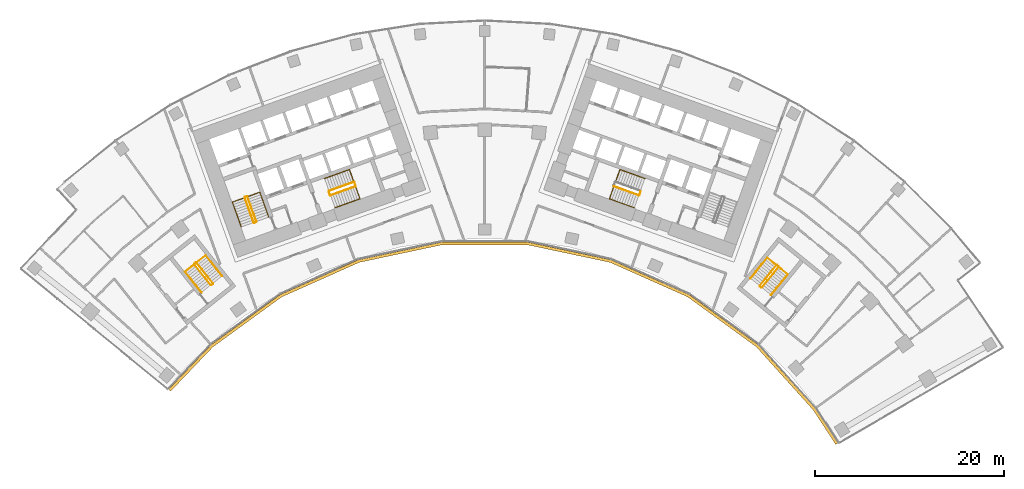
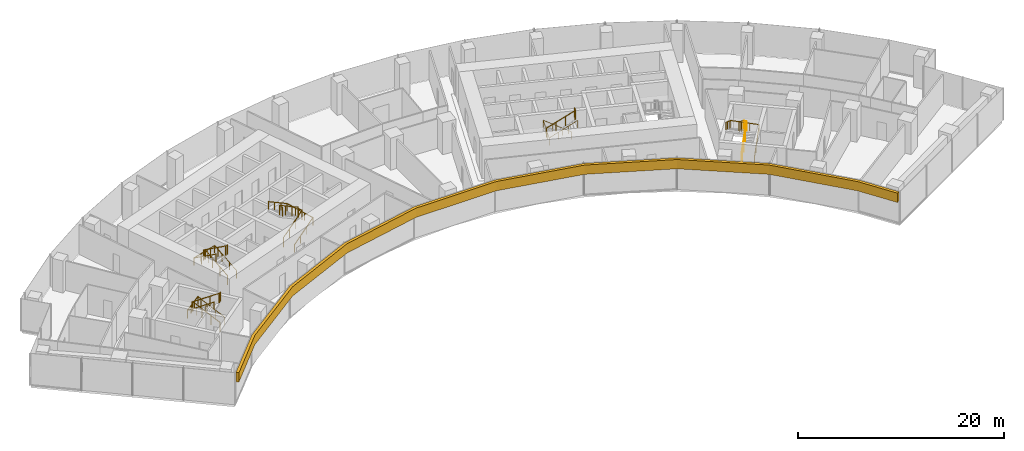
# One storey, part 19 of 20: 14 railings, 1 covering.
"""IFC4 building model written with IfcOpenShell, lengths in metres."""

from ifc_helpers import new_model, si_unit, direction, frame, origin, origin_2d, place, context, subcontext, project, spatial, polyline, circle, outline, extrude, material, layer, layer_set, type_object, element, save


model = new_model("IFC4")

# Units and contexts
model_context = context("Model", 3, precision=1e-05, world=origin(), true_north=direction((0.0, 1.0)))
body_context = subcontext(model_context, "Body", "Model", "MODEL_VIEW")
ifc_project = project(units=[si_unit("LENGTHUNIT", "METRE"), si_unit("AREAUNIT", "SQUARE_METRE"), si_unit("VOLUMEUNIT", "CUBIC_METRE"), si_unit("PLANEANGLEUNIT", "RADIAN"), si_unit("MASSUNIT", "GRAM", prefix="KILO")], contexts=[model_context])

# Site, building, storey
site_placement = place(None, origin())
site = spatial("IfcSite", under=ifc_project, at=site_placement, CompositionType="ELEMENT")
building_placement = place(site_placement, origin())
building = spatial("IfcBuilding", under=site, at=building_placement, Name="Stone Belt Terrace Tower", CompositionType="ELEMENT")
storey_placement = place(building_placement, frame((0.0, 0.0, 106.0)))
storey = spatial("IfcBuildingStorey", under=building, at=storey_placement, Name="L25", CompositionType="ELEMENT", Elevation=106.0)

# Railings
ifc_material_1 = material(Name="Structural steel C345", Category="steel")
railing_type_1 = type_object("IfcRailingType", Name="Stair guard 1100", PredefinedType="GUARDRAIL", material=ifc_material_1)
railing_1_placement = place(storey_placement, frame((-24.2119140625, 45.276123046875, 0.172607421875)))
element("IfcRailing", 1, at=railing_1_placement, inside=storey, type_object=railing_type_1, Name="L25 ST1A stair guard 1", PredefinedType="GUARDRAIL", context=body_context, shape_type="SweptSolid", body=[
    extrude(circle(Radius=0.02392578125, at=origin_2d()), frame((0.0, 0.0, 1.076171875), z_axis=(-0.288228637646, 0.800791768495, 0.525030280985), x_axis=(-0.940908529223, -0.338660803216, 0.0)), (0.0, 0.0, 1.0), 3.289794921875),
    extrude(circle(Radius=0.02392578125, at=origin_2d()), frame((-0.9482421875, 2.634521484375, 2.80322265625), z_axis=(-0.905209821074, 0.424964916, 0.0), x_axis=(-0.424964916, -0.905209821074, 0.0)), (0.0, 0.0, 1.0), 0.070556640625),
    extrude(circle(Radius=0.02392578125, at=origin_2d()), frame((-1.01220703125, 2.66455078125, 2.80322265625), z_axis=(-0.941105063269, -0.338114270461, 0.0), x_axis=(0.338114270461, -0.941105063269, 0.0)), (0.0, 0.0, 1.0), 0.199951171875),
    extrude(circle(Radius=0.02099609375, at=origin_2d()), origin(), (0.0, 0.0, 1.0), 1.052001953125),
    extrude(circle(Radius=0.02099609375, at=origin_2d()), frame((-0.316162109375, 0.878173828125, 0.57568359375)), (0.0, 0.0, 1.0), 1.052001953125),
    extrude(circle(Radius=0.02099609375, at=origin_2d()), frame((-0.632080078125, 1.75634765625, 1.151611328125)), (0.0, 0.0, 1.0), 1.052001953125),
    extrude(circle(Radius=0.02099609375, at=origin_2d()), frame((-0.9482421875, 2.634521484375, 1.727294921875)), (0.0, 0.0, 1.0), 1.052001953125),
    extrude(circle(Radius=0.02099609375, at=origin_2d()), frame((-1.01220703125, 2.66455078125, 1.727294921875)), (0.0, 0.0, 1.0), 1.052001953125),
    extrude(circle(Radius=0.02099609375, at=origin_2d()), frame((-1.200439453125, 2.596923828125, 1.727294921875)), (0.0, 0.0, 1.0), 1.052001953125),
])
railing_2_placement = place(storey_placement, frame((-25.4423828125, 47.80908203125, 2.07275390625)))
element("IfcRailing", 2, at=railing_2_placement, inside=storey, type_object=railing_type_1, Name="L25 ST1A stair guard 2", PredefinedType="GUARDRAIL", context=body_context, shape_type="SweptSolid", body=[
    extrude(circle(Radius=0.02392578125, at=origin_2d()), frame((0.0, 0.0, 1.076171875), z_axis=(0.288228637646, -0.800791768495, 0.525030280985), x_axis=(0.940908529223, 0.338660803216, 0.0)), (0.0, 0.0, 1.0), 3.289794921875),
    extrude(circle(Radius=0.02392578125, at=origin_2d()), frame((0.9482421875, -2.634521484375, 2.80322265625), z_axis=(0.903878284585, -0.427789722475, 0.0), x_axis=(0.427789722475, 0.903878284585, 0.0)), (0.0, 0.0, 1.0), 0.07080078125),
    extrude(circle(Radius=0.02392578125, at=origin_2d()), frame((1.01220703125, -2.664794921875, 2.80322265625), z_axis=(0.940575576748, 0.339584429008, 0.0), x_axis=(-0.339584429008, 0.940575576748, 0.0)), (0.0, 0.0, 1.0), 0.199951171875),
    extrude(circle(Radius=0.02099609375, at=origin_2d()), origin(), (0.0, 0.0, 1.0), 1.052001953125),
    extrude(circle(Radius=0.02099609375, at=origin_2d()), frame((0.316162109375, -0.878173828125, 0.57568359375)), (0.0, 0.0, 1.0), 1.052001953125),
    extrude(circle(Radius=0.02099609375, at=origin_2d()), frame((0.632080078125, -1.75634765625, 1.151611328125)), (0.0, 0.0, 1.0), 1.052001953125),
    extrude(circle(Radius=0.02099609375, at=origin_2d()), frame((0.9482421875, -2.634521484375, 1.727294921875)), (0.0, 0.0, 1.0), 1.052001953125),
    extrude(circle(Radius=0.02099609375, at=origin_2d()), frame((1.01220703125, -2.664794921875, 1.727294921875)), (0.0, 0.0, 1.0), 1.052001953125),
    extrude(circle(Radius=0.02099609375, at=origin_2d()), frame((1.2001953125, -2.596923828125, 1.727294921875)), (0.0, 0.0, 1.0), 1.052001953125),
])
railing_3_placement = place(storey_placement, frame((-16.33837890625, 48.056640625, 0.172607421875)))
element("IfcRailing", 3, at=railing_3_placement, inside=storey, type_object=railing_type_1, Name="L25 ST2A stair guard 1", PredefinedType="GUARDRAIL", context=body_context, shape_type="SweptSolid", body=[
    extrude(circle(Radius=0.02392578125, at=origin_2d()), frame((0.0, 0.0, 1.076171875), z_axis=(0.800808895155, 0.288160591223, 0.52504150989), x_axis=(-0.338583606334, 0.940936311087, 0.0)), (0.0, 0.0, 1.0), 3.289794921875),
    extrude(circle(Radius=0.02392578125, at=origin_2d()), frame((2.634521484375, 0.947998046875, 2.80322265625), z_axis=(0.427789722475, 0.903878284585, 0.0), x_axis=(-0.903878284585, 0.427789722475, 0.0)), (0.0, 0.0, 1.0), 0.07080078125),
    extrude(circle(Radius=0.02392578125, at=origin_2d()), frame((2.664794921875, 1.011962890625, 2.80322265625), z_axis=(-0.338654645739, 0.940910745459, 0.0), x_axis=(-0.940910745459, -0.338654645739, 0.0)), (0.0, 0.0, 1.0), 0.400146484375),
    extrude(circle(Radius=0.02099609375, at=origin_2d()), origin(), (0.0, 0.0, 1.0), 1.052001953125),
    extrude(circle(Radius=0.02099609375, at=origin_2d()), frame((0.878173828125, 0.31591796875, 0.57568359375)), (0.0, 0.0, 1.0), 1.052001953125),
    extrude(circle(Radius=0.02099609375, at=origin_2d()), frame((1.75634765625, 0.632080078125, 1.151611328125)), (0.0, 0.0, 1.0), 1.052001953125),
    extrude(circle(Radius=0.02099609375, at=origin_2d()), frame((2.634521484375, 0.947998046875, 1.727294921875)), (0.0, 0.0, 1.0), 1.052001953125),
    extrude(circle(Radius=0.02099609375, at=origin_2d()), frame((2.664794921875, 1.011962890625, 1.727294921875)), (0.0, 0.0, 1.0), 1.052001953125),
    extrude(circle(Radius=0.02099609375, at=origin_2d()), frame((2.529296875, 1.388427734375, 1.727294921875)), (0.0, 0.0, 1.0), 1.052001953125),
])
railing_4_placement = place(storey_placement, frame((-13.873046875, 49.47509765625, 2.07275390625)))
element("IfcRailing", 4, at=railing_4_placement, inside=storey, type_object=railing_type_1, Name="L25 ST2A stair guard 2", PredefinedType="GUARDRAIL", context=body_context, shape_type="SweptSolid", body=[
    extrude(circle(Radius=0.02392578125, at=origin_2d()), frame((0.0, 0.0, 1.076171875), z_axis=(-0.800808895155, -0.288160591223, 0.52504150989), x_axis=(0.338583606334, -0.940936311087, 0.0)), (0.0, 0.0, 1.0), 3.289794921875),
    extrude(circle(Radius=0.02392578125, at=origin_2d()), frame((-2.634521484375, -0.947998046875, 2.80322265625), z_axis=(-0.427789722475, -0.903878284585, 0.0), x_axis=(0.903878284585, -0.427789722475, 0.0)), (0.0, 0.0, 1.0), 0.07080078125),
    extrude(circle(Radius=0.02392578125, at=origin_2d()), frame((-2.664794921875, -1.011962890625, 2.80322265625), z_axis=(0.338654645739, -0.940910745459, 0.0), x_axis=(0.940910745459, 0.338654645739, 0.0)), (0.0, 0.0, 1.0), 0.400146484375),
    extrude(circle(Radius=0.02099609375, at=origin_2d()), origin(), (0.0, 0.0, 1.0), 1.052001953125),
    extrude(circle(Radius=0.02099609375, at=origin_2d()), frame((-0.878173828125, -0.31591796875, 0.57568359375)), (0.0, 0.0, 1.0), 1.052001953125),
    extrude(circle(Radius=0.02099609375, at=origin_2d()), frame((-1.75634765625, -0.632080078125, 1.151611328125)), (0.0, 0.0, 1.0), 1.052001953125),
    extrude(circle(Radius=0.02099609375, at=origin_2d()), frame((-2.634521484375, -0.947998046875, 1.727294921875)), (0.0, 0.0, 1.0), 1.052001953125),
    extrude(circle(Radius=0.02099609375, at=origin_2d()), frame((-2.664794921875, -1.011962890625, 1.727294921875)), (0.0, 0.0, 1.0), 1.052001953125),
    extrude(circle(Radius=0.02099609375, at=origin_2d()), frame((-2.529296875, -1.388427734375, 1.727294921875)), (0.0, 0.0, 1.0), 1.052001953125),
])
railing_5_placement = place(storey_placement, frame((13.703857421875, 49.004638671875, 2.07275390625)))
element("IfcRailing", 5, at=railing_5_placement, inside=storey, type_object=railing_type_1, Name="L25 ST2B stair guard 2", PredefinedType="GUARDRAIL", context=body_context, shape_type="SweptSolid", body=[
    extrude(circle(Radius=0.02392578125, at=origin_2d()), frame((0.0, 0.0, 1.076171875), z_axis=(0.800808895155, -0.288160591223, 0.52504150989), x_axis=(0.338583606334, 0.940936311087, 0.0)), (0.0, 0.0, 1.0), 3.289794921875),
    extrude(circle(Radius=0.02392578125, at=origin_2d()), frame((2.634521484375, -0.947998046875, 2.80322265625), z_axis=(0.905209821074, 0.424964916, 0.0), x_axis=(-0.424964916, 0.905209821074, 0.0)), (0.0, 0.0, 1.0), 0.070556640625),
    extrude(circle(Radius=0.02392578125, at=origin_2d()), frame((2.698486328125, -0.91796875, 2.80322265625), z_axis=(0.338654645739, 0.940910745459, 0.0), x_axis=(-0.940910745459, 0.338654645739, 0.0)), (0.0, 0.0, 1.0), 0.400146484375),
    extrude(circle(Radius=0.02099609375, at=origin_2d()), origin(), (0.0, 0.0, 1.0), 1.052001953125),
    extrude(circle(Radius=0.02099609375, at=origin_2d()), frame((0.878173828125, -0.31591796875, 0.57568359375)), (0.0, 0.0, 1.0), 1.052001953125),
    extrude(circle(Radius=0.02099609375, at=origin_2d()), frame((1.75634765625, -0.632080078125, 1.151611328125)), (0.0, 0.0, 1.0), 1.052001953125),
    extrude(circle(Radius=0.02099609375, at=origin_2d()), frame((2.634521484375, -0.947998046875, 1.727294921875)), (0.0, 0.0, 1.0), 1.052001953125),
    extrude(circle(Radius=0.02099609375, at=origin_2d()), frame((2.698486328125, -0.91796875, 1.727294921875)), (0.0, 0.0, 1.0), 1.052001953125),
    extrude(circle(Radius=0.02099609375, at=origin_2d()), frame((2.833984375, -0.54150390625, 1.727294921875)), (0.0, 0.0, 1.0), 1.052001953125),
])
railing_6_placement = place(storey_placement, frame((-28.814208984375, 38.734619140625, 0.172607421875)))
element("IfcRailing", 6, at=railing_6_placement, inside=storey, type_object=railing_type_1, Name="L25 ST3A stair guard 1", PredefinedType="GUARDRAIL", context=body_context, shape_type="SweptSolid", body=[
    extrude(circle(Radius=0.02392578125, at=origin_2d()), frame((0.0, 0.0, 1.076171875), z_axis=(-0.530306321799, 0.665665785969, 0.525037395288), x_axis=(-0.782143211408, -0.623098705543, 0.0)), (0.0, 0.0, 1.0), 3.289794921875),
    extrude(circle(Radius=0.02392578125, at=origin_2d()), frame((-1.74462890625, 2.18994140625, 2.80322265625), z_axis=(-0.993883734674, 0.110431526075, 0.0), x_axis=(-0.110431526075, -0.993883734674, 0.0)), (0.0, 0.0, 1.0), 0.07080078125),
    extrude(circle(Radius=0.02392578125, at=origin_2d()), frame((-1.81494140625, 2.19775390625, 2.80322265625), z_axis=(-0.782533463299, -0.622608527742, 0.0), x_axis=(0.622608527742, -0.782533463299, 0.0)), (0.0, 0.0, 1.0), 0.199951171875),
    extrude(circle(Radius=0.02099609375, at=origin_2d()), origin(), (0.0, 0.0, 1.0), 1.052001953125),
    extrude(circle(Radius=0.02099609375, at=origin_2d()), frame((-0.58154296875, 0.72998046875, 0.57568359375)), (0.0, 0.0, 1.0), 1.052001953125),
    extrude(circle(Radius=0.02099609375, at=origin_2d()), frame((-1.1630859375, 1.4599609375, 1.151611328125)), (0.0, 0.0, 1.0), 1.052001953125),
    extrude(circle(Radius=0.02099609375, at=origin_2d()), frame((-1.74462890625, 2.18994140625, 1.727294921875)), (0.0, 0.0, 1.0), 1.052001953125),
    extrude(circle(Radius=0.02099609375, at=origin_2d()), frame((-1.81494140625, 2.19775390625, 1.727294921875)), (0.0, 0.0, 1.0), 1.052001953125),
    extrude(circle(Radius=0.02099609375, at=origin_2d()), frame((-1.971435546875, 2.0732421875, 1.727294921875)), (0.0, 0.0, 1.0), 1.052001953125),
])
railing_7_placement = place(storey_placement, frame((-30.793701171875, 40.737548828125, 2.07275390625)))
element("IfcRailing", 7, at=railing_7_placement, inside=storey, type_object=railing_type_1, Name="L25 ST3A stair guard 2", PredefinedType="GUARDRAIL", context=body_context, shape_type="SweptSolid", body=[
    extrude(circle(Radius=0.02392578125, at=origin_2d()), frame((0.0, 0.0, 1.076171875), z_axis=(0.530359659125, -0.665639588968, 0.525016732659), x_axis=(0.782100716982, 0.62315204284, 0.0)), (0.0, 0.0, 1.0), 3.2900390625),
    extrude(circle(Radius=0.02392578125, at=origin_2d()), frame((1.744873046875, -2.18994140625, 2.80322265625), z_axis=(0.993499272973, -0.113838458361, 0.0), x_axis=(0.113838458361, 0.993499272973, 0.0)), (0.0, 0.0, 1.0), 0.07080078125),
    extrude(circle(Radius=0.02392578125, at=origin_2d()), frame((1.815185546875, -2.197998046875, 2.80322265625), z_axis=(0.781464082609, 0.623950228458, 0.0), x_axis=(-0.623950228458, 0.781464082609, 0.0)), (0.0, 0.0, 1.0), 0.199951171875),
    extrude(circle(Radius=0.02099609375, at=origin_2d()), origin(), (0.0, 0.0, 1.0), 1.052001953125),
    extrude(circle(Radius=0.02099609375, at=origin_2d()), frame((0.58154296875, -0.72998046875, 0.57568359375)), (0.0, 0.0, 1.0), 1.052001953125),
    extrude(circle(Radius=0.02099609375, at=origin_2d()), frame((1.163330078125, -1.4599609375, 1.151611328125)), (0.0, 0.0, 1.0), 1.052001953125),
    extrude(circle(Radius=0.02099609375, at=origin_2d()), frame((1.744873046875, -2.18994140625, 1.727294921875)), (0.0, 0.0, 1.0), 1.052001953125),
    extrude(circle(Radius=0.02099609375, at=origin_2d()), frame((1.815185546875, -2.197998046875, 1.727294921875)), (0.0, 0.0, 1.0), 1.052001953125),
    extrude(circle(Radius=0.02099609375, at=origin_2d()), frame((1.971435546875, -2.0732421875, 1.727294921875)), (0.0, 0.0, 1.0), 1.052001953125),
])
railing_8_placement = place(storey_placement, frame((29.39794921875, 38.281982421875, 0.172607421875)))
element("IfcRailing", 8, at=railing_8_placement, inside=storey, type_object=railing_type_1, Name="L25 ST3B stair guard 1", PredefinedType="GUARDRAIL", context=body_context, shape_type="SweptSolid", body=[
    extrude(circle(Radius=0.02392578125, at=origin_2d()), frame((0.0, 0.0, 1.076171875), z_axis=(0.536393061503, 0.660769759217, 0.525038864158), x_axis=(-0.776391310223, 0.630251166924, 0.0)), (0.0, 0.0, 1.0), 3.289794921875),
    extrude(circle(Radius=0.02392578125, at=origin_2d()), frame((1.7646484375, 2.173828125, 2.80322265625), z_axis=(-0.103251414163, 0.994655289773, 0.0), x_axis=(-0.994655289773, -0.103251414163, 0.0)), (0.0, 0.0, 1.0), 0.071044921875),
    extrude(circle(Radius=0.02392578125, at=origin_2d()), frame((1.75732421875, 2.244384765625, 2.80322265625), z_axis=(-0.776561986372, 0.630040856868, 0.0), x_axis=(-0.630040856868, -0.776561986372, 0.0)), (0.0, 0.0, 1.0), 0.199951171875),
    extrude(circle(Radius=0.02099609375, at=origin_2d()), origin(), (0.0, 0.0, 1.0), 1.052001953125),
    extrude(circle(Radius=0.02099609375, at=origin_2d()), frame((0.588134765625, 0.724609375, 0.57568359375)), (0.0, 0.0, 1.0), 1.052001953125),
    extrude(circle(Radius=0.02099609375, at=origin_2d()), frame((1.176513671875, 1.44921875, 1.151611328125)), (0.0, 0.0, 1.0), 1.052001953125),
    extrude(circle(Radius=0.02099609375, at=origin_2d()), frame((1.7646484375, 2.173828125, 1.727294921875)), (0.0, 0.0, 1.0), 1.052001953125),
    extrude(circle(Radius=0.02099609375, at=origin_2d()), frame((1.75732421875, 2.244384765625, 1.727294921875)), (0.0, 0.0, 1.0), 1.052001953125),
    extrude(circle(Radius=0.02099609375, at=origin_2d()), frame((1.60205078125, 2.370361328125, 1.727294921875)), (0.0, 0.0, 1.0), 1.052001953125),
])
railing_9_placement = place(storey_placement, frame((30.9296875, 40.64501953125, 2.07275390625)))
element("IfcRailing", 9, at=railing_9_placement, inside=storey, type_object=railing_type_1, Name="L25 ST3B stair guard 2", PredefinedType="GUARDRAIL", context=body_context, shape_type="SweptSolid", body=[
    extrude(circle(Radius=0.02392578125, at=origin_2d()), frame((0.0, 0.0, 1.076171875), z_axis=(-0.536366759382, -0.660811565066, 0.525013118792), x_axis=(0.776425942316, -0.630208502084, 0.0)), (0.0, 0.0, 1.0), 3.2900390625),
    extrude(circle(Radius=0.02392578125, at=origin_2d()), frame((-1.7646484375, -2.174072265625, 2.80322265625), z_axis=(0.103606084259, -0.994618408891, 0.0), x_axis=(0.994618408891, 0.103606084259, 0.0)), (0.0, 0.0, 1.0), 0.07080078125),
    extrude(circle(Radius=0.02392578125, at=origin_2d()), frame((-1.75732421875, -2.244384765625, 2.80322265625), z_axis=(0.776561986372, -0.630040856868, 0.0), x_axis=(0.630040856868, 0.776561986372, 0.0)), (0.0, 0.0, 1.0), 0.199951171875),
    extrude(circle(Radius=0.02099609375, at=origin_2d()), origin(), (0.0, 0.0, 1.0), 1.052001953125),
    extrude(circle(Radius=0.02099609375, at=origin_2d()), frame((-0.588134765625, -0.724609375, 0.57568359375)), (0.0, 0.0, 1.0), 1.052001953125),
    extrude(circle(Radius=0.02099609375, at=origin_2d()), frame((-1.176513671875, -1.449462890625, 1.151611328125)), (0.0, 0.0, 1.0), 1.052001953125),
    extrude(circle(Radius=0.02099609375, at=origin_2d()), frame((-1.7646484375, -2.174072265625, 1.727294921875)), (0.0, 0.0, 1.0), 1.052001953125),
    extrude(circle(Radius=0.02099609375, at=origin_2d()), frame((-1.75732421875, -2.244384765625, 1.727294921875)), (0.0, 0.0, 1.0), 1.052001953125),
    extrude(circle(Radius=0.02099609375, at=origin_2d()), frame((-1.60205078125, -2.370361328125, 1.727294921875)), (0.0, 0.0, 1.0), 1.052001953125),
])
railing_type_2 = type_object("IfcRailingType", Name="Stair handrail 900", PredefinedType="HANDRAIL", material=ifc_material_1)
railing_10_placement = place(storey_placement, frame((-22.894775390625, 45.750244140625, 0.172607421875)))
element("IfcRailing", 10, at=railing_10_placement, inside=storey, type_object=railing_type_2, Name="L25 ST1A stair handrail 1", PredefinedType="HANDRAIL", context=body_context, shape_type="SweptSolid", body=[
    extrude(circle(Radius=0.02392578125, at=origin_2d()), frame((0.0, 0.0, 0.8759765625), z_axis=(-0.288160591223, 0.800808895155, 0.52504150989), x_axis=(-0.940936311087, -0.338583606334, 0.0)), (0.0, 0.0, 1.0), 3.289794921875),
    extrude(circle(Radius=0.02392578125, at=origin_2d()), frame((-0.947998046875, 2.634521484375, 2.60302734375), z_axis=(-0.939460408074, -0.338105101667, 0.055669398135), x_axis=(0.338630230244, -0.940919532779, 0.0)), (0.0, 0.0, 1.0), 3.10498046875),
    extrude(circle(Radius=0.02392578125, at=origin_2d()), frame((-3.864990234375, 1.584716796875, 2.77587890625), z_axis=(0.288228637646, -0.800791768495, 0.525030280985), x_axis=(0.940908529223, 0.338660803216, 0.0)), (0.0, 0.0, 1.0), 3.289794921875),
    extrude(circle(Radius=0.02099609375, at=origin_2d()), origin(), (0.0, 0.0, 1.0), 0.851806640625),
    extrude(circle(Radius=0.02099609375, at=origin_2d()), frame((-0.31591796875, 0.878173828125, 0.57568359375)), (0.0, 0.0, 1.0), 0.851806640625),
    extrude(circle(Radius=0.02099609375, at=origin_2d()), frame((-0.632080078125, 1.75634765625, 1.151611328125)), (0.0, 0.0, 1.0), 0.851806640625),
    extrude(circle(Radius=0.02099609375, at=origin_2d()), frame((-0.947998046875, 2.634521484375, 1.727294921875)), (0.0, 0.0, 1.0), 0.851806640625),
    extrude(circle(Radius=0.02099609375, at=origin_2d()), frame((-1.92041015625, 2.28466796875, 1.784912109375)), (0.0, 0.0, 1.0), 0.851806640625),
    extrude(circle(Radius=0.02099609375, at=origin_2d()), frame((-2.892578125, 1.9345703125, 1.842529296875)), (0.0, 0.0, 1.0), 0.851806640625),
    extrude(circle(Radius=0.02099609375, at=origin_2d()), frame((-3.864990234375, 1.584716796875, 1.900146484375)), (0.0, 0.0, 1.0), 0.851806640625),
    extrude(circle(Radius=0.02099609375, at=origin_2d()), frame((-3.548828125, 0.70654296875, 2.475830078125)), (0.0, 0.0, 1.0), 0.851806640625),
    extrude(circle(Radius=0.02099609375, at=origin_2d()), frame((-3.23291015625, -0.171630859375, 3.0517578125)), (0.0, 0.0, 1.0), 0.851806640625),
    extrude(circle(Radius=0.02099609375, at=origin_2d()), frame((-2.916748046875, -1.0498046875, 3.62744140625)), (0.0, 0.0, 1.0), 0.851806640625),
])
railing_11_placement = place(storey_placement, frame((-15.8642578125, 46.7392578125, 0.172607421875)))
element("IfcRailing", 11, at=railing_11_placement, inside=storey, type_object=railing_type_2, Name="L25 ST2A stair handrail 1", PredefinedType="HANDRAIL", context=body_context, shape_type="SweptSolid", body=[
    extrude(circle(Radius=0.02392578125, at=origin_2d()), frame((0.0, 0.0, 0.8759765625), z_axis=(0.800791768495, 0.288228637646, 0.525030280985), x_axis=(-0.338660803216, 0.940908529223, 0.0)), (0.0, 0.0, 1.0), 3.289794921875),
    extrude(circle(Radius=0.02392578125, at=origin_2d()), frame((2.634521484375, 0.9482421875, 2.60302734375), z_axis=(-0.338158948057, 0.939634149308, 0.052308615955), x_axis=(-0.940922302781, -0.338622533404, 0.0)), (0.0, 0.0, 1.0), 3.304443359375),
    extrude(circle(Radius=0.02392578125, at=origin_2d()), frame((1.51708984375, 4.05322265625, 2.77587890625), z_axis=(-0.800791768495, -0.288228637646, 0.525030280985), x_axis=(0.338660803216, -0.940908529223, 0.0)), (0.0, 0.0, 1.0), 3.289794921875),
    extrude(circle(Radius=0.02099609375, at=origin_2d()), origin(), (0.0, 0.0, 1.0), 0.851806640625),
    extrude(circle(Radius=0.02099609375, at=origin_2d()), frame((0.878173828125, 0.316162109375, 0.57568359375)), (0.0, 0.0, 1.0), 0.851806640625),
    extrude(circle(Radius=0.02099609375, at=origin_2d()), frame((1.75634765625, 0.632080078125, 1.151611328125)), (0.0, 0.0, 1.0), 0.851806640625),
    extrude(circle(Radius=0.02099609375, at=origin_2d()), frame((2.634521484375, 0.9482421875, 1.727294921875)), (0.0, 0.0, 1.0), 0.851806640625),
    extrude(circle(Radius=0.02099609375, at=origin_2d()), frame((2.261962890625, 1.983154296875, 1.784912109375)), (0.0, 0.0, 1.0), 0.851806640625),
    extrude(circle(Radius=0.02099609375, at=origin_2d()), frame((1.8896484375, 3.018310546875, 1.842529296875)), (0.0, 0.0, 1.0), 0.851806640625),
    extrude(circle(Radius=0.02099609375, at=origin_2d()), frame((1.51708984375, 4.05322265625, 1.900146484375)), (0.0, 0.0, 1.0), 0.851806640625),
    extrude(circle(Radius=0.02099609375, at=origin_2d()), frame((0.638916015625, 3.737060546875, 2.475830078125)), (0.0, 0.0, 1.0), 0.851806640625),
    extrude(circle(Radius=0.02099609375, at=origin_2d()), frame((-0.2392578125, 3.421142578125, 3.0517578125)), (0.0, 0.0, 1.0), 0.851806640625),
    extrude(circle(Radius=0.02099609375, at=origin_2d()), frame((-1.117431640625, 3.10498046875, 3.62744140625)), (0.0, 0.0, 1.0), 0.851806640625),
])
railing_12_placement = place(storey_placement, frame((16.981689453125, 49.84423828125, 0.172607421875)))
element("IfcRailing", 12, at=railing_12_placement, inside=storey, type_object=railing_type_2, Name="L25 ST2B stair handrail 1", PredefinedType="HANDRAIL", context=body_context, shape_type="SweptSolid", body=[
    extrude(circle(Radius=0.02392578125, at=origin_2d()), frame((0.0, 0.0, 0.8759765625), z_axis=(-0.800791768495, 0.288228637646, 0.525030280985), x_axis=(-0.338660803216, -0.940908529223, 0.0)), (0.0, 0.0, 1.0), 3.289794921875),
    extrude(circle(Radius=0.02392578125, at=origin_2d()), frame((-2.634521484375, 0.9482421875, 2.60302734375), z_axis=(-0.338158948057, -0.939634149308, 0.052308615955), x_axis=(0.940922302781, -0.338622533404, 0.0)), (0.0, 0.0, 1.0), 3.304443359375),
    extrude(circle(Radius=0.02392578125, at=origin_2d()), frame((-3.751953125, -2.15673828125, 2.77587890625), z_axis=(0.800791768495, -0.288228637646, 0.525030280985), x_axis=(0.338660803216, 0.940908529223, 0.0)), (0.0, 0.0, 1.0), 3.289794921875),
    extrude(circle(Radius=0.02099609375, at=origin_2d()), origin(), (0.0, 0.0, 1.0), 0.851806640625),
    extrude(circle(Radius=0.02099609375, at=origin_2d()), frame((-0.878173828125, 0.316162109375, 0.57568359375)), (0.0, 0.0, 1.0), 0.851806640625),
    extrude(circle(Radius=0.02099609375, at=origin_2d()), frame((-1.75634765625, 0.632080078125, 1.151611328125)), (0.0, 0.0, 1.0), 0.851806640625),
    extrude(circle(Radius=0.02099609375, at=origin_2d()), frame((-2.634521484375, 0.9482421875, 1.727294921875)), (0.0, 0.0, 1.0), 0.851806640625),
    extrude(circle(Radius=0.02099609375, at=origin_2d()), frame((-3.007080078125, -0.086669921875, 1.784912109375)), (0.0, 0.0, 1.0), 0.851806640625),
    extrude(circle(Radius=0.02099609375, at=origin_2d()), frame((-3.37939453125, -1.121826171875, 1.842529296875)), (0.0, 0.0, 1.0), 0.851806640625),
    extrude(circle(Radius=0.02099609375, at=origin_2d()), frame((-3.751953125, -2.15673828125, 1.900146484375)), (0.0, 0.0, 1.0), 0.851806640625),
    extrude(circle(Radius=0.02099609375, at=origin_2d()), frame((-2.873779296875, -2.472900390625, 2.475830078125)), (0.0, 0.0, 1.0), 0.851806640625),
    extrude(circle(Radius=0.02099609375, at=origin_2d()), frame((-1.99560546875, -2.788818359375, 3.0517578125)), (0.0, 0.0, 1.0), 0.851806640625),
    extrude(circle(Radius=0.02099609375, at=origin_2d()), frame((-1.117431640625, -3.10498046875, 3.62744140625)), (0.0, 0.0, 1.0), 0.851806640625),
])
railing_13_placement = place(storey_placement, frame((-27.836669921875, 39.513427734375, 0.172607421875)))
element("IfcRailing", 13, at=railing_13_placement, inside=storey, type_object=railing_type_2, Name="L25 ST3A stair handrail 1", PredefinedType="HANDRAIL", context=body_context, shape_type="SweptSolid", body=[
    extrude(circle(Radius=0.02392578125, at=origin_2d()), frame((0.0, 0.0, 0.8759765625), z_axis=(-0.530306321799, 0.665665785969, 0.525037395288), x_axis=(-0.782143211408, -0.623098705543, 0.0)), (0.0, 0.0, 1.0), 3.289794921875),
    extrude(circle(Radius=0.02392578125, at=origin_2d()), frame((-1.74462890625, 2.18994140625, 2.60302734375), z_axis=(-0.78065703189, -0.621914732429, 0.061617076765), x_axis=(0.623098705543, -0.782143211408, 0.0)), (0.0, 0.0, 1.0), 2.80517578125),
    extrude(circle(Radius=0.02392578125, at=origin_2d()), frame((-3.9345703125, 0.4453125, 2.77587890625), z_axis=(0.530306321799, -0.665665785969, 0.525037395288), x_axis=(0.782143211408, 0.623098705543, 0.0)), (0.0, 0.0, 1.0), 3.289794921875),
    extrude(circle(Radius=0.02099609375, at=origin_2d()), origin(), (0.0, 0.0, 1.0), 0.851806640625),
    extrude(circle(Radius=0.02099609375, at=origin_2d()), frame((-0.58154296875, 0.72998046875, 0.57568359375)), (0.0, 0.0, 1.0), 0.851806640625),
    extrude(circle(Radius=0.02099609375, at=origin_2d()), frame((-1.1630859375, 1.4599609375, 1.151611328125)), (0.0, 0.0, 1.0), 0.851806640625),
    extrude(circle(Radius=0.02099609375, at=origin_2d()), frame((-1.74462890625, 2.18994140625, 1.727294921875)), (0.0, 0.0, 1.0), 0.851806640625),
    extrude(circle(Radius=0.02099609375, at=origin_2d()), frame((-2.474609375, 1.6083984375, 1.784912109375)), (0.0, 0.0, 1.0), 0.851806640625),
    extrude(circle(Radius=0.02099609375, at=origin_2d()), frame((-3.20458984375, 1.02685546875, 1.842529296875)), (0.0, 0.0, 1.0), 0.851806640625),
    extrude(circle(Radius=0.02099609375, at=origin_2d()), frame((-3.9345703125, 0.4453125, 1.900146484375)), (0.0, 0.0, 1.0), 0.851806640625),
    extrude(circle(Radius=0.02099609375, at=origin_2d()), frame((-3.35302734375, -0.28466796875, 2.475830078125)), (0.0, 0.0, 1.0), 0.851806640625),
    extrude(circle(Radius=0.02099609375, at=origin_2d()), frame((-2.771484375, -1.0146484375, 3.0517578125)), (0.0, 0.0, 1.0), 0.851806640625),
    extrude(circle(Radius=0.02099609375, at=origin_2d()), frame((-2.18994140625, -1.74462890625, 3.62744140625)), (0.0, 0.0, 1.0), 0.851806640625),
])
railing_14_placement = place(storey_placement, frame((30.36865234375, 37.494140625, 0.172607421875)))
element("IfcRailing", 14, at=railing_14_placement, inside=storey, type_object=railing_type_2, Name="L25 ST3B stair handrail 1", PredefinedType="HANDRAIL", context=body_context, shape_type="SweptSolid", body=[
    extrude(circle(Radius=0.02392578125, at=origin_2d()), frame((0.0, 0.0, 0.8759765625), z_axis=(0.536366759382, 0.660811565066, 0.525013118792), x_axis=(-0.776425942316, 0.630208502084, 0.0)), (0.0, 0.0, 1.0), 3.2900390625),
    extrude(circle(Radius=0.02392578125, at=origin_2d()), frame((1.7646484375, 2.174072265625, 2.60302734375), z_axis=(-0.774950814199, 0.629011171817, 0.061613158501), x_axis=(-0.630208502084, -0.776425942316, 0.0)), (0.0, 0.0, 1.0), 2.805419921875),
    extrude(circle(Radius=0.02392578125, at=origin_2d()), frame((-0.409423828125, 3.938720703125, 2.77587890625), z_axis=(-0.536366759382, -0.660811565066, 0.525013118792), x_axis=(0.776425942316, -0.630208502084, 0.0)), (0.0, 0.0, 1.0), 3.2900390625),
    extrude(circle(Radius=0.02099609375, at=origin_2d()), origin(), (0.0, 0.0, 1.0), 0.851806640625),
    extrude(circle(Radius=0.02099609375, at=origin_2d()), frame((0.588134765625, 0.724609375, 0.57568359375)), (0.0, 0.0, 1.0), 0.851806640625),
    extrude(circle(Radius=0.02099609375, at=origin_2d()), frame((1.176513671875, 1.449462890625, 1.151611328125)), (0.0, 0.0, 1.0), 0.851806640625),
    extrude(circle(Radius=0.02099609375, at=origin_2d()), frame((1.7646484375, 2.174072265625, 1.727294921875)), (0.0, 0.0, 1.0), 0.851806640625),
    extrude(circle(Radius=0.02099609375, at=origin_2d()), frame((1.0400390625, 2.76220703125, 1.784912109375)), (0.0, 0.0, 1.0), 0.851806640625),
    extrude(circle(Radius=0.02099609375, at=origin_2d()), frame((0.315185546875, 3.3505859375, 1.842529296875)), (0.0, 0.0, 1.0), 0.851806640625),
    extrude(circle(Radius=0.02099609375, at=origin_2d()), frame((-0.409423828125, 3.938720703125, 1.900146484375)), (0.0, 0.0, 1.0), 0.851806640625),
    extrude(circle(Radius=0.02099609375, at=origin_2d()), frame((-0.99755859375, 3.214111328125, 2.475830078125)), (0.0, 0.0, 1.0), 0.851806640625),
    extrude(circle(Radius=0.02099609375, at=origin_2d()), frame((-1.5859375, 2.4892578125, 3.0517578125)), (0.0, 0.0, 1.0), 0.851806640625),
    extrude(circle(Radius=0.02099609375, at=origin_2d()), frame((-2.174072265625, 1.7646484375, 3.62744140625)), (0.0, 0.0, 1.0), 0.851806640625),
])

# Covering
ifc_material_2 = material(Name="Terracotta coloured glazed ceramic", Category="masonry")
ifc_layer = layer(ifc_material_2, 0.300048828125)
ifc_layer_set = layer_set([ifc_layer], Name="Terracotta spandrel band 300 x 1100")
covering_type = type_object("IfcCoveringType", Name="Terracotta spandrel band 300 x 1100", PredefinedType="CLADDING", material=ifc_layer_set)
covering_placement = place(storey_placement, frame((0.0, 0.0, 2.699951171875)))
element("IfcCovering", 15, at=covering_placement, inside=storey, type_object=covering_type, Name="BAND L25", PredefinedType="CLADDING", context=body_context, shape_type="SweptSolid", body=[
    extrude(outline(polyline([(-33.519287109375, 27.490478515625), (-29.008056640625, 32.21337890625), (-21.674560546875, 37.54150390625), (-13.395751953125, 41.2275390625), (-4.53125, 43.11181640625), (4.53125, 43.11181640625), (13.395751953125, 41.2275390625), (21.674560546875, 37.54150390625), (29.00634765625, 32.214599609375), (35.072998046875, 25.47705078125), (37.46875, 21.802001953125), (37.217529296875, 21.63818359375), (34.83447265625, 25.29345703125), (28.804443359375, 31.990478515625), (21.523681640625, 37.2802734375), (13.302490234375, 40.940673828125), (4.499755859375, 42.811767578125), (-4.499755859375, 42.811767578125), (-13.302490234375, 40.940673828125), (-21.523681640625, 37.2802734375), (-28.809814453125, 31.986572265625), (-33.30224609375, 27.283203125), (-33.519287109375, 27.490478515625)])), origin(), (0.0, 0.0, 1.0), 1.10009765625),
])

save(model, "model.ifc")
